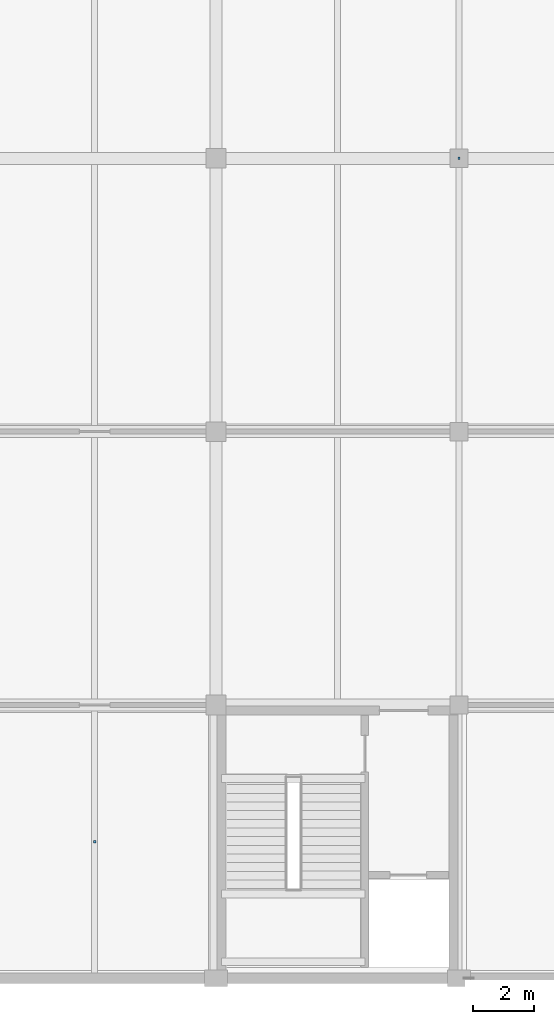
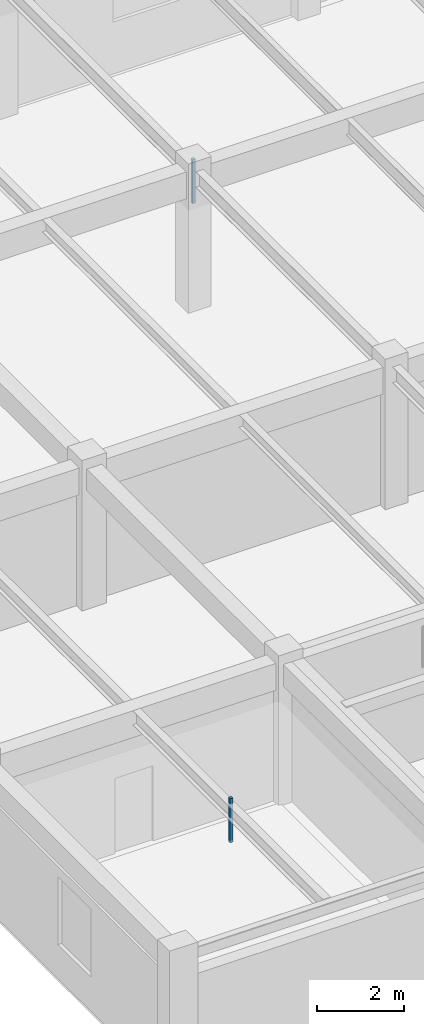
# One storey, part 108 of 126: 2 discrete accessories.
"""IFC4 building model written with IfcOpenShell, lengths in metres."""

from ifc_helpers import new_model, si_unit, direction, frame, origin, origin_2d, place, context, subcontext, project, spatial, rectangle, extrude, material, layer, layer_set, type_object, element, save


model = new_model("IFC4")

# Units and contexts
model_context = context("Model", 3, precision=1e-05, world=origin(), true_north=direction((0.0, 1.0)))
body_context = subcontext(model_context, "Body", "Model", "MODEL_VIEW")
ifc_project = project(units=[si_unit("LENGTHUNIT", "METRE"), si_unit("AREAUNIT", "SQUARE_METRE"), si_unit("VOLUMEUNIT", "CUBIC_METRE"), si_unit("PLANEANGLEUNIT", "RADIAN"), si_unit("MASSUNIT", "GRAM", prefix="KILO")], contexts=[model_context])

# Site, building, storey
site_placement = place(None, origin())
site = spatial("IfcSite", under=ifc_project, at=site_placement, CompositionType="ELEMENT")
building_placement = place(site_placement, origin())
building = spatial("IfcBuilding", under=site, at=building_placement, Name="Varnabhumi Central Station", CompositionType="ELEMENT")
storey_placement = place(building_placement, frame((0.0, 0.0, 16.199951171875)))
storey = spatial("IfcBuildingStorey", under=building, at=storey_placement, Name="L03", CompositionType="ELEMENT", Elevation=16.199951171875)

# Discrete accessories
ifc_material = material(Name="Structural steel E350", Category="steel")
ifc_layer = layer(ifc_material, 0.159912109375, Name="Structural steel E350", Category="steel")
ifc_layer_set = layer_set([ifc_layer], Name="Structural steel E350")
discrete_accessory_type = type_object("IfcDiscreteAccessoryType", Name="ACC-SHADE-BRKT", PredefinedType="BRACKET", material=ifc_layer_set)
for number, where, z_axis, x_axis, name in (
    (1, (48.0, 27.0, 2.840087890625), (0.0, 0.0, 1.0), (1.0, 0.0, 0.0), "Station Master Panel Cabin and SM-OCIP Ceiling Hanger"),
    (2, (36.0, 4.5, 2.840087890625), (0.0, 0.0, 1.0), (1.0, 0.0, 0.0), "Duty Operations Briefing Room Ceiling Hanger"),
):
    element("IfcDiscreteAccessory", number, at=place(storey_placement, frame(where, z_axis=z_axis, x_axis=x_axis)), inside=storey, type_object=discrete_accessory_type, Name=name, PredefinedType="BRACKET", context=body_context, shape_type="SweptSolid", body=[
        extrude(rectangle(XDim=0.080078125, YDim=0.080078125, at=origin_2d()), origin(), (0.0, 0.0, 1.0), 1.22998046875),
    ])

save(model, "model.ifc")
